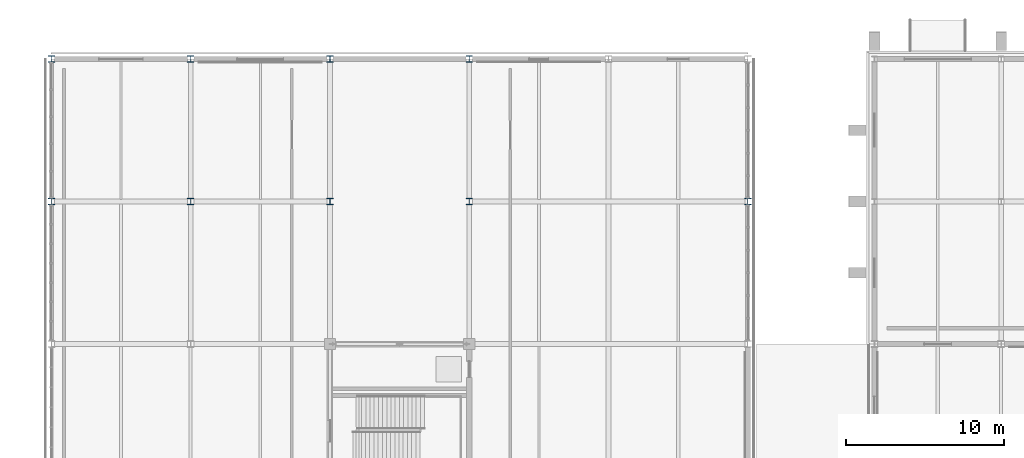
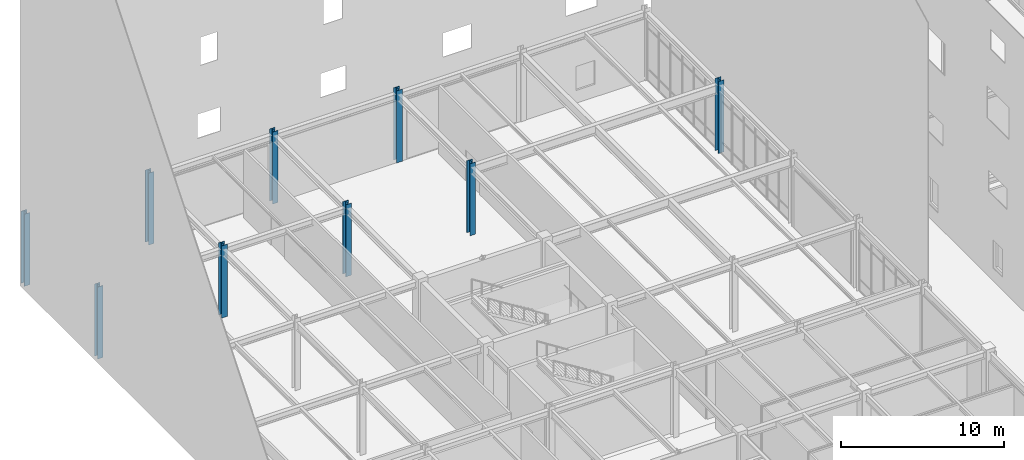
# One storey, part 12 of 119: 9 columns.
"""IFC4 building model written with IfcOpenShell, lengths in metres."""

from ifc_helpers import new_model, si_unit, direction, frame, origin, origin_2d, place, context, subcontext, project, spatial, i_section, extrude, material, material_profile, profile_set, type_object, element, save


model = new_model("IFC4")

# Units and contexts
model_context = context("Model", 3, precision=1e-05, world=origin(), true_north=direction((0.0, 1.0)))
body_context = subcontext(model_context, "Body", "Model", "MODEL_VIEW")
ifc_project = project(units=[si_unit("LENGTHUNIT", "METRE"), si_unit("AREAUNIT", "SQUARE_METRE"), si_unit("VOLUMEUNIT", "CUBIC_METRE"), si_unit("PLANEANGLEUNIT", "RADIAN"), si_unit("MASSUNIT", "GRAM", prefix="KILO")], contexts=[model_context])

# Site, building, storey
site_placement = place(None, origin())
site = spatial("IfcSite", under=ifc_project, at=site_placement, CompositionType="ELEMENT")
building_placement = place(site_placement, origin())
building = spatial("IfcBuilding", under=site, at=building_placement, Name="Zhaolan Boulevard Law Courts", CompositionType="ELEMENT")
storey_placement = place(building_placement, origin())
storey = spatial("IfcBuildingStorey", under=building, at=storey_placement, Name="L00", CompositionType="ELEMENT", Elevation=0.0)

# Columns
ifc_material = material(Name="Structural steel Q390B", Category="steel")
ifc_material_profile = material_profile(ifc_material, i_section(OverallWidth=0.39990234375, OverallDepth=0.39990234375, WebThickness=0.012939453125, FlangeThickness=0.02099609375, FilletRadius=0.02197265625, at=origin_2d()), Name="HW400x400")
ifc_profile_set = profile_set([ifc_material_profile], Name="Structural steel Q390B")
column_type = type_object("IfcColumnType", Name="COL HW400", PredefinedType="COLUMN", material=ifc_profile_set)
for number, where, z_axis, x_axis, name in (
    (1, (0.0, 103.0, 0.0), (0.0, 0.0, 1.0), (1.0, 0.0, 0.0), "Column C-1P (L00)"),
    (2, (0.0, 112.0, 0.0), (0.0, 0.0, 1.0), (1.0, 0.0, 0.0), "Column C-1Q (L00)"),
    (3, (8.800048828125, 103.0, 0.0), (0.0, 0.0, 1.0), (1.0, 0.0, 0.0), "Column C-2P (L00)"),
    (4, (8.800048828125, 112.0, 0.0), (0.0, 0.0, 1.0), (1.0, 0.0, 0.0), "Column C-2Q (L00)"),
    (5, (17.60009765625, 103.0, 0.0), (0.0, 0.0, 1.0), (1.0, 0.0, 0.0), "Column C-3P (L00)"),
    (6, (17.60009765625, 112.0, 0.0), (0.0, 0.0, 1.0), (1.0, 0.0, 0.0), "Column C-3Q (L00)"),
    (7, (26.39990234375, 103.0, 0.0), (0.0, 0.0, 1.0), (1.0, 0.0, 0.0), "Column C-4P (L00)"),
    (8, (26.39990234375, 112.0, 0.0), (0.0, 0.0, 1.0), (1.0, 0.0, 0.0), "Column C-4Q (L00)"),
    (9, (44.0, 103.0, 0.0), (0.0, 0.0, 1.0), (1.0, 0.0, 0.0), "Column C-6P (L00)"),
):
    element("IfcColumn", number, at=place(storey_placement, frame(where, z_axis=z_axis, x_axis=x_axis)), inside=storey, type_object=column_type, Name=name, PredefinedType="COLUMN", context=body_context, shape_type="SweptSolid", body=[
        extrude(i_section(OverallWidth=0.39990234375, OverallDepth=0.39990234375, WebThickness=0.012939453125, FlangeThickness=0.02099609375, FilletRadius=0.02197265625, at=origin_2d()), origin(), (0.0, 0.0, 1.0), 5.39990234375),
    ])

save(model, "model.ifc")
